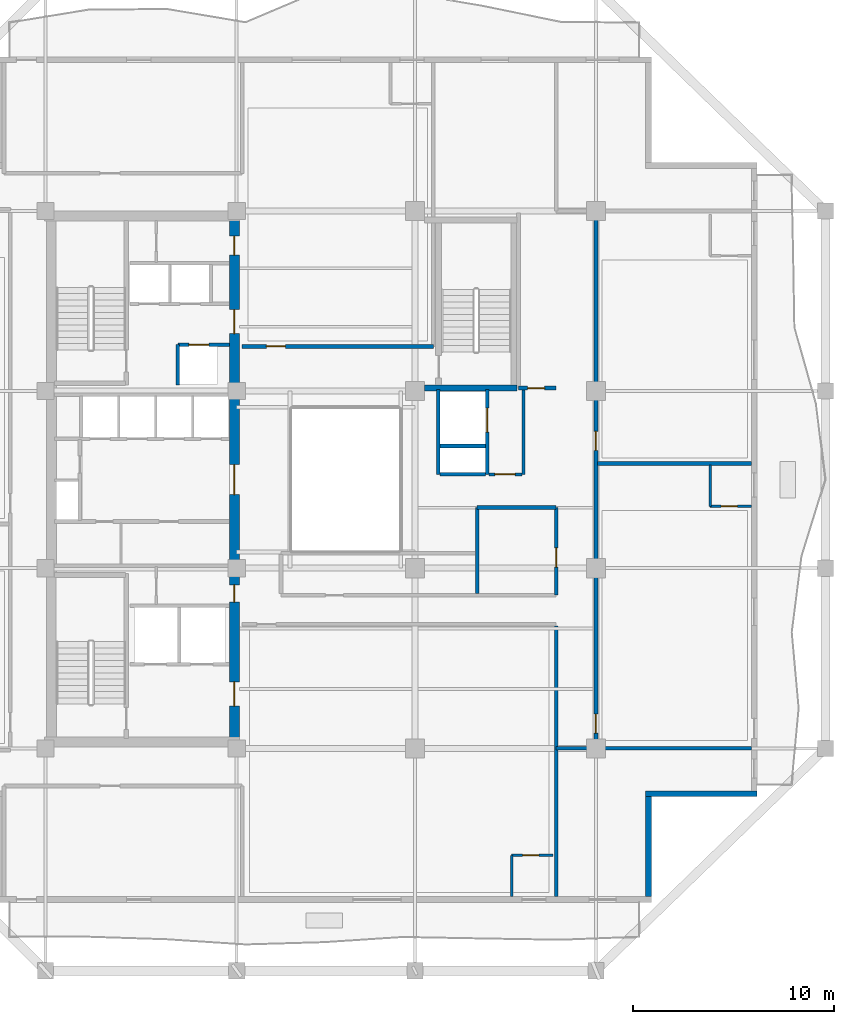
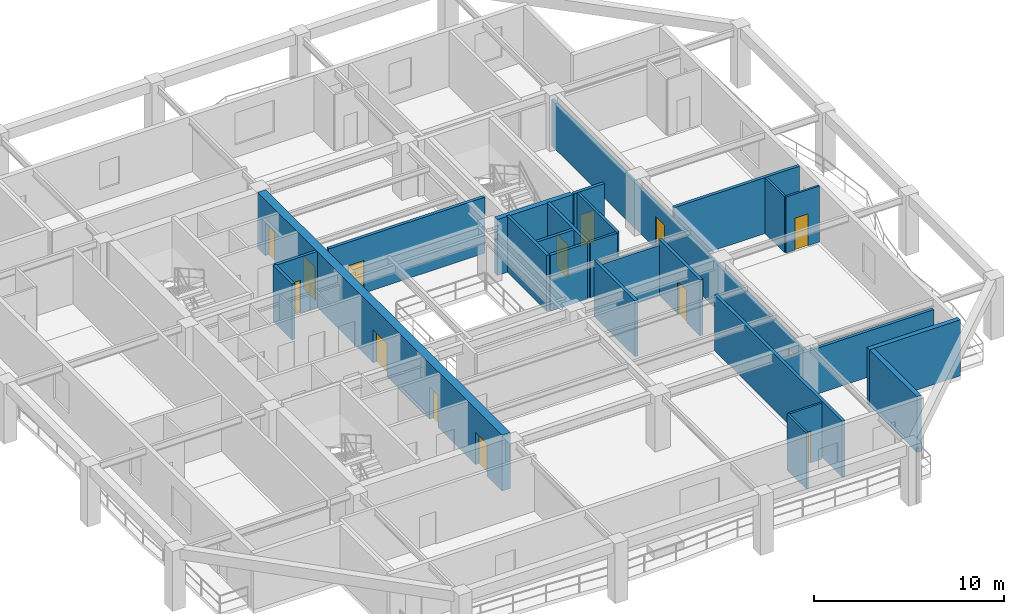
# One storey, part 4 of 12: 25 walls, 15 doors, 15 openings.
"""IFC4 building model written with IfcOpenShell, lengths in metres."""

from ifc_helpers import new_model, si_unit, direction, frame, frame_2d, origin, place, context, subcontext, project, spatial, rectangle, extrude, material, layer, layer_set, type_object, element, fill, save


model = new_model("IFC4")

# Units and contexts
model_context = context("Model", 3, precision=1e-05, world=origin(), true_north=direction((0.0, 1.0)))
body_context = subcontext(model_context, "Body", "Model", "MODEL_VIEW")
ifc_project = project(units=[si_unit("LENGTHUNIT", "METRE"), si_unit("AREAUNIT", "SQUARE_METRE"), si_unit("VOLUMEUNIT", "CUBIC_METRE"), si_unit("PLANEANGLEUNIT", "RADIAN"), si_unit("MASSUNIT", "GRAM", prefix="KILO")], contexts=[model_context])

# Site, building, storey
site_placement = place(None, origin())
site = spatial("IfcSite", under=ifc_project, at=site_placement, CompositionType="ELEMENT")
building_placement = place(site_placement, origin())
building = spatial("IfcBuilding", under=site, at=building_placement, Name="Kundavana Baori Tower", CompositionType="ELEMENT")
storey_placement = place(building_placement, frame((0.0, 0.0, 157.89990234375)))
storey = spatial("IfcBuildingStorey", under=building, at=storey_placement, Name="L38", CompositionType="ELEMENT", Elevation=157.89990234375)

# Wall, openings, doors
ifc_material_1 = material(Name="Concrete C50/60", Category="concrete")
ifc_layer_1 = layer(ifc_material_1, 0.5, Name="WL-CORE-500")
ifc_layer_set_1 = layer_set([ifc_layer_1], Name="Concrete C50/60")
wall_type_1 = type_object("IfcWallType", Name="WL-CORE-500", PredefinedType="SHEAR", material=ifc_layer_set_1)
wall_1_placement = place(storey_placement, frame((24.830078125, 15.739990234375, 0.0), z_axis=(0.0, 0.0, 1.0), x_axis=(0.0, 1.0, 0.0)))
wall_1 = element("IfcWall", 1, at=wall_1_placement, inside=storey, type_object=wall_type_1, Name="L38 Offset Core East Shear Wall", PredefinedType="SHEAR", context=body_context, shape_type="SweptSolid", body=[
    extrude(rectangle(XDim=25.760009765625, YDim=0.5, at=frame_2d((12.8798828125, 0.0))), origin(), (0.0, 0.0, 1.0), 3.60009765625),
])
opening_1_placement = place(wall_1_placement, frame((1.610107421875, 0.0, 0.0)))
opening_1 = element("IfcOpeningElement", 2, at=opening_1_placement, cuts=wall_1, Name="Opening FD-120", PredefinedType="OPENING", context=body_context, shape_type="SweptSolid", body=[
    extrude(rectangle(XDim=1.199951171875, YDim=2.10009765625, at=frame_2d((0.60009765625, 1.050048828125))), frame((0.0, 0.260009765625, 0.0), z_axis=(0.0, -1.0, 0.0), x_axis=(1.0, 0.0, 0.0)), (0.0, 0.0, 1.0), 0.52001953125),
])
opening_2_placement = place(wall_1_placement, frame((6.780029296875, 0.0, 0.0)))
opening_2 = element("IfcOpeningElement", 3, at=opening_2_placement, cuts=wall_1, Name="Opening FD-085", PredefinedType="OPENING", context=body_context, shape_type="SweptSolid", body=[
    extrude(rectangle(XDim=0.85009765625, YDim=2.06005859375, at=frame_2d((0.425048828125, 1.030029296875))), frame((0.0, 0.260009765625, 0.0), z_axis=(0.0, -1.0, 0.0), x_axis=(1.0, 0.0, 0.0)), (0.0, 0.0, 1.0), 0.52001953125),
])
opening_3_placement = place(wall_1_placement, frame((12.110107421875, 0.0, 0.0)))
opening_3 = element("IfcOpeningElement", 4, at=opening_3_placement, cuts=wall_1, Name="Opening FD-150", PredefinedType="OPENING", context=body_context, shape_type="SweptSolid", body=[
    extrude(rectangle(XDim=1.5, YDim=2.1201171875, at=frame_2d((0.75, 1.06005859375))), frame((0.0, 0.260009765625, 0.0), z_axis=(0.0, -1.0, 0.0), x_axis=(1.0, 0.0, 0.0)), (0.0, 0.0, 1.0), 0.52001953125),
])
opening_4_placement = place(wall_1_placement, frame((20.110107421875, 0.0, 0.0)))
opening_4 = element("IfcOpeningElement", 5, at=opening_4_placement, cuts=wall_1, Name="Opening FD-122", PredefinedType="OPENING", context=body_context, shape_type="SweptSolid", body=[
    extrude(rectangle(XDim=1.199951171875, YDim=2.1201171875, at=frame_2d((0.60009765625, 1.06005859375))), frame((0.0, 0.260009765625, 0.0), z_axis=(0.0, -1.0, 0.0), x_axis=(1.0, 0.0, 0.0)), (0.0, 0.0, 1.0), 0.52001953125),
])
opening_5_placement = place(wall_1_placement, frame((24.010009765625, 0.0, 0.0)))
opening_5 = element("IfcOpeningElement", 6, at=opening_5_placement, cuts=wall_1, Name="Opening FD-095", PredefinedType="OPENING", context=body_context, shape_type="SweptSolid", body=[
    extrude(rectangle(XDim=0.949951171875, YDim=2.10009765625, at=frame_2d((0.47509765625, 1.050048828125))), frame((0.0, 0.260009765625, 0.0), z_axis=(0.0, -1.0, 0.0), x_axis=(1.0, 0.0, 0.0)), (0.0, 0.0, 1.0), 0.52001953125),
])
ifc_material_2 = material(Name="Galvanised Steel Fire-Rated Door Leaf", Category="steel")
door_type_1 = type_object("IfcDoorType", Name="DR-FD120-1200", OperationType="NOTDEFINED", PredefinedType="DOOR", material=ifc_material_2)
door_1_placement = place(opening_1_placement, frame((1.199951171875, 0.0, 0.0), z_axis=(0.0, 0.0, 1.0), x_axis=(-1.0, 0.0, 0.0)))
door_1 = element("IfcDoor", 7, at=door_1_placement, inside=storey, type_object=door_type_1, Name="DR-L38-FFLOB-E", OperationType="SINGLE_SWING_RIGHT", OverallHeight=2.10009765625, OverallWidth=1.199951171875, PredefinedType="DOOR", context=body_context, shape_type="SweptSolid", body=[
    extrude(rectangle(XDim=1.199951171875, YDim=2.10009765625, at=frame_2d((0.60009765625, 1.050048828125))), frame((0.0, 0.02490234375, 0.0), z_axis=(0.0, -1.0, 0.0), x_axis=(1.0, 0.0, 0.0)), (0.0, 0.0, 1.0), 0.050048828125),
])
fill(opening_1, door_1)
ifc_material_3 = material(Name="Galvanised Steel Fire-Rated Door Leaf", Category="steel")
door_type_2 = type_object("IfcDoorType", Name="DR-FD60-1200", OperationType="NOTDEFINED", PredefinedType="DOOR", material=ifc_material_3)
door_2_placement = place(opening_4_placement, frame((1.199951171875, 0.0, 0.0), z_axis=(0.0, 0.0, 1.0), x_axis=(-1.0, 0.0, 0.0)))
door_2 = element("IfcDoor", 8, at=door_2_placement, inside=storey, type_object=door_type_2, Name="DR-L38-HRLOB-E", OperationType="SINGLE_SWING_RIGHT", OverallHeight=2.1201171875, OverallWidth=1.199951171875, PredefinedType="DOOR", context=body_context, shape_type="SweptSolid", body=[
    extrude(rectangle(XDim=1.199951171875, YDim=2.1201171875, at=frame_2d((0.60009765625, 1.06005859375))), frame((0.0, 0.02490234375, 0.0), z_axis=(0.0, -1.0, 0.0), x_axis=(1.0, 0.0, 0.0)), (0.0, 0.0, 1.0), 0.050048828125),
])
fill(opening_4, door_2)
ifc_material_4 = material(Name="Galvanised Steel Fire-Rated Door Leaf", Category="steel")
door_type_3 = type_object("IfcDoorType", Name="DR-FD60-1500", OperationType="NOTDEFINED", PredefinedType="DOOR", material=ifc_material_4)
door_3_placement = place(opening_3_placement, frame((1.5, 0.0, 0.0), z_axis=(0.0, 0.0, 1.0), x_axis=(-1.0, 0.0, 0.0)))
door_3 = element("IfcDoor", 9, at=door_3_placement, inside=storey, type_object=door_type_3, Name="DR-L38-LIFTHALL-E", OperationType="SINGLE_SWING_LEFT", OverallHeight=2.1201171875, OverallWidth=1.5, PredefinedType="DOOR", context=body_context, shape_type="SweptSolid", body=[
    extrude(rectangle(XDim=1.5, YDim=2.1201171875, at=frame_2d((0.75, 1.06005859375))), frame((0.0, 0.02490234375, 0.0), z_axis=(0.0, -1.0, 0.0), x_axis=(1.0, 0.0, 0.0)), (0.0, 0.0, 1.0), 0.050048828125),
])
fill(opening_3, door_3)
ifc_material_5 = material(Name="Galvanised Steel Fire-Rated Door Leaf", Category="steel")
door_type_4 = type_object("IfcDoorType", Name="DR-FD60-850", OperationType="NOTDEFINED", PredefinedType="DOOR", material=ifc_material_5)
door_4_placement = place(opening_2_placement, frame((0.85009765625, 0.0, 0.0), z_axis=(0.0, 0.0, 1.0), x_axis=(-1.0, 0.0, 0.0)))
door_4 = element("IfcDoor", 10, at=door_4_placement, inside=storey, type_object=door_type_4, Name="DR-L38-CSMK2", OperationType="SINGLE_SWING_LEFT", OverallHeight=2.06005859375, OverallWidth=0.85009765625, PredefinedType="DOOR", context=body_context, shape_type="SweptSolid", body=[
    extrude(rectangle(XDim=0.85009765625, YDim=2.06005859375, at=frame_2d((0.425048828125, 1.030029296875))), frame((0.0, 0.02490234375, 0.0), z_axis=(0.0, -1.0, 0.0), x_axis=(1.0, 0.0, 0.0)), (0.0, 0.0, 1.0), 0.050048828125),
])
fill(opening_2, door_4)
ifc_material_6 = material(Name="Engineered Teak Fire-Rated Timber Door Leaf", Category="wood")
door_type_5 = type_object("IfcDoorType", Name="DR-FD60-950", OperationType="NOTDEFINED", PredefinedType="DOOR", material=ifc_material_6)
door_5_placement = place(opening_5_placement, frame((0.949951171875, 0.0, 0.0), z_axis=(0.0, 0.0, 1.0), x_axis=(-1.0, 0.0, 0.0)))
door_5 = element("IfcDoor", 11, at=door_5_placement, inside=storey, type_object=door_type_5, Name="DR-L38-CSRV2", OperationType="SINGLE_SWING_LEFT", OverallHeight=2.10009765625, OverallWidth=0.949951171875, PredefinedType="DOOR", context=body_context, shape_type="SweptSolid", body=[
    extrude(rectangle(XDim=0.949951171875, YDim=2.10009765625, at=frame_2d((0.47509765625, 1.050048828125))), frame((0.0, 0.02490234375, 0.0), z_axis=(0.0, -1.0, 0.0), x_axis=(1.0, 0.0, 0.0)), (0.0, 0.0, 1.0), 0.050048828125),
])
fill(opening_5, door_5)

# Walls
ifc_material_7 = material(Name="Red-Buff Dholpur Sandstone Cladding on Concrete C40/50", Category="masonry")
ifc_layer_2 = layer(ifc_material_7, 0.280029296875, Name="WL-EXT-SAND-280")
ifc_layer_set_2 = layer_set([ifc_layer_2], Name="Red-Buff Dholpur Sandstone Cladding on Concrete C40/50")
wall_type_2 = type_object("IfcWallType", Name="WL-EXT-SAND-280", PredefinedType="STANDARD", material=ifc_layer_set_2)
wall_2_placement = place(storey_placement, frame((45.409912109375, 7.8798828125, 0.0), z_axis=(0.0, 0.0, 1.0), x_axis=(0.0, 1.0, 0.0)))
element("IfcWall", 12, at=wall_2_placement, inside=storey, type_object=wall_type_2, Name="L38 Exterior Insulated Facade Wall 02", PredefinedType="STANDARD", context=body_context, shape_type="SweptSolid", body=[
    extrude(rectangle(XDim=4.97021484375, YDim=0.280029296875, at=frame_2d((2.485107421875, 0.0))), origin(), (0.0, 0.0, 1.0), 3.60009765625),
])
wall_3_placement = place(storey_placement, frame((45.27001953125, 12.989990234375, 0.0), z_axis=(0.0, 0.0, 1.0), x_axis=(1.0, 0.0, 0.0)))
element("IfcWall", 13, at=wall_3_placement, inside=storey, type_object=wall_type_2, Name="L38 Exterior Insulated Facade Wall 03", PredefinedType="STANDARD", context=body_context, shape_type="SweptSolid", body=[
    extrude(rectangle(XDim=5.530029296875, YDim=0.280029296875, at=frame_2d((2.76513671875, 0.0))), origin(), (0.0, 0.0, 1.0), 3.60009765625),
])
ifc_material_8 = material(Name="Fire-Rated Gypsum Drywall on Galvanised Steel Studs", Category="steel")
ifc_layer_3 = layer(ifc_material_8, 0.14990234375, Name="WL-PART-150")
ifc_layer_set_3 = layer_set([ifc_layer_3], Name="Fire-Rated Gypsum Drywall on Galvanised Steel Studs")
wall_type_3 = type_object("IfcWallType", Name="WL-PART-150", PredefinedType="PARTITIONING", material=ifc_layer_set_3)
wall_4_placement = place(storey_placement, frame((39.199951171875, 28.860107421875, 0.0), z_axis=(0.0, 0.0, 1.0), x_axis=(0.0, 1.0, 0.0)))
element("IfcWall", 14, at=wall_4_placement, inside=storey, type_object=wall_type_3, Name="WL-L38-SVLOB-E", PredefinedType="PARTITIONING", context=body_context, shape_type="SweptSolid", body=[
    extrude(rectangle(XDim=4.219970703125, YDim=0.14990234375, at=frame_2d((2.10986328125, 0.0))), origin(), (0.0, 0.0, 1.0), 3.60009765625),
])

# Wall, opening, door
wall_5_placement = place(storey_placement, frame((37.47998046875, 28.860107421875, 0.0), z_axis=(0.0, 0.0, 1.0), x_axis=(1.0, 0.0, 0.0)))
wall_5 = element("IfcWall", 15, at=wall_5_placement, inside=storey, type_object=wall_type_3, Name="WL-L38-SVLOB-S", PredefinedType="PARTITIONING", context=body_context, shape_type="SweptSolid", body=[
    extrude(rectangle(XDim=1.64013671875, YDim=0.14990234375, at=frame_2d((0.820068359375, 0.0))), origin(), (0.0, 0.0, 1.0), 3.60009765625),
])
opening_6_placement = place(wall_5_placement, frame((0.300048828125, 0.0, 0.0)))
opening_6 = element("IfcOpeningElement", 16, at=opening_6_placement, cuts=wall_5, Name="Opening FD-100", PredefinedType="OPENING", context=body_context, shape_type="SweptSolid", body=[
    extrude(rectangle(XDim=1.0, YDim=2.10009765625, at=frame_2d((0.5, 1.050048828125))), frame((0.0, 0.0849609375, 0.0), z_axis=(0.0, -1.0, 0.0), x_axis=(1.0, 0.0, 0.0)), (0.0, 0.0, 1.0), 0.169921875),
])
ifc_material_9 = material(Name="Engineered Teak Fire-Rated Timber Door Leaf", Category="wood")
door_type_6 = type_object("IfcDoorType", Name="DR-FD60-1000", OperationType="NOTDEFINED", PredefinedType="DOOR", material=ifc_material_9)
door_6_placement = place(opening_6_placement, origin())
door_6 = element("IfcDoor", 17, at=door_6_placement, inside=storey, type_object=door_type_6, Name="DR-L38-SVLOB-OUT", OperationType="SINGLE_SWING_LEFT", OverallHeight=2.10009765625, OverallWidth=1.0, PredefinedType="DOOR", context=body_context, shape_type="SweptSolid", body=[
    extrude(rectangle(XDim=1.0, YDim=2.10009765625, at=frame_2d((0.5, 1.050048828125))), frame((0.0, 0.02490234375, 0.0), z_axis=(0.0, -1.0, 0.0), x_axis=(1.0, 0.0, 0.0)), (0.0, 0.0, 1.0), 0.050048828125),
])
fill(opening_6, door_6)

ifc_material_10 = material(Name="Autoclaved Aerated Concrete Blockwork Masonry", Category="masonry")
ifc_layer_4 = layer(ifc_material_10, 0.18505859375, Name="WL-PART-180")
ifc_layer_set_4 = layer_set([ifc_layer_4], Name="Autoclaved Aerated Concrete Blockwork Masonry")
wall_type_4 = type_object("IfcWallType", Name="WL-PART-180", PredefinedType="SOLIDWALL", material=ifc_layer_set_4)
wall_6_placement = place(storey_placement, frame((25.219970703125, 35.219970703125, 0.0), z_axis=(0.0, 0.0, 1.0), x_axis=(1.0, 0.0, 0.0)))
wall_6 = element("IfcWall", 18, at=wall_6_placement, inside=storey, type_object=wall_type_4, Name="WL-L38-HN", PredefinedType="SOLIDWALL", context=body_context, shape_type="SweptSolid", body=[
    extrude(rectangle(XDim=9.5, YDim=0.18505859375, at=frame_2d((4.75, 0.0))), origin(), (0.0, 0.0, 1.0), 3.60009765625),
])
opening_7_placement = place(wall_6_placement, frame((1.199951171875, 0.0, 0.0)))
opening_7 = element("IfcOpeningElement", 19, at=opening_7_placement, cuts=wall_6, Name="Opening FD-095", PredefinedType="OPENING", context=body_context, shape_type="SweptSolid", body=[
    extrude(rectangle(XDim=0.949951171875, YDim=2.10009765625, at=frame_2d((0.47509765625, 1.050048828125))), frame((0.0, 0.1025390625, 0.0), z_axis=(0.0, -1.0, 0.0), x_axis=(1.0, 0.0, 0.0)), (0.0, 0.0, 1.0), 0.205078125),
])
door_7_placement = place(opening_7_placement, origin())
door_7 = element("IfcDoor", 20, at=door_7_placement, inside=storey, type_object=door_type_5, Name="DR-L38-HK-N1-ENT", OperationType="SINGLE_SWING_RIGHT", OverallHeight=2.10009765625, OverallWidth=0.949951171875, PredefinedType="DOOR", context=body_context, shape_type="SweptSolid", body=[
    extrude(rectangle(XDim=0.949951171875, YDim=2.10009765625, at=frame_2d((0.47509765625, 1.050048828125))), frame((0.0, 0.02490234375, 0.0), z_axis=(0.0, -1.0, 0.0), x_axis=(1.0, 0.0, 0.0)), (0.0, 0.0, 1.0), 0.050048828125),
])
fill(opening_7, door_7)

# Wall, openings, doors
wall_7_placement = place(storey_placement, frame((42.800048828125, 15.25, 0.0), z_axis=(0.0, 0.0, 1.0), x_axis=(0.0, 1.0, 0.0)))
wall_7 = element("IfcWall", 21, at=wall_7_placement, inside=storey, type_object=wall_type_4, Name="WL-L38-HE", PredefinedType="SOLIDWALL", context=body_context, shape_type="SweptSolid", body=[
    extrude(rectangle(XDim=26.699951171875, YDim=0.18505859375, at=frame_2d((13.35009765625, 0.0))), origin(), (0.0, 0.0, 1.0), 2.9501953125),
])
opening_8_placement = place(wall_7_placement, frame((0.75, 0.0, 0.0)))
opening_8 = element("IfcOpeningElement", 22, at=opening_8_placement, cuts=wall_7, Name="Opening FD-095", PredefinedType="OPENING", context=body_context, shape_type="SweptSolid", body=[
    extrude(rectangle(XDim=0.949951171875, YDim=2.10009765625, at=frame_2d((0.47509765625, 1.050048828125))), frame((0.0, 0.1025390625, 0.0), z_axis=(0.0, -1.0, 0.0), x_axis=(1.0, 0.0, 0.0)), (0.0, 0.0, 1.0), 0.205078125),
])
opening_9_placement = place(wall_7_placement, frame((14.800048828125, 0.0, 0.0)))
opening_9 = element("IfcOpeningElement", 23, at=opening_9_placement, cuts=wall_7, Name="Opening FD-095", PredefinedType="OPENING", context=body_context, shape_type="SweptSolid", body=[
    extrude(rectangle(XDim=0.949951171875, YDim=2.10009765625, at=frame_2d((0.47509765625, 1.050048828125))), frame((0.0, 0.1025390625, 0.0), z_axis=(0.0, -1.0, 0.0), x_axis=(1.0, 0.0, 0.0)), (0.0, 0.0, 1.0), 0.205078125),
])
door_8_placement = place(opening_8_placement, origin())
door_8 = element("IfcDoor", 24, at=door_8_placement, inside=storey, type_object=door_type_5, Name="DR-L38-HK-E1-ENT", OperationType="SINGLE_SWING_LEFT", OverallHeight=2.10009765625, OverallWidth=0.949951171875, PredefinedType="DOOR", context=body_context, shape_type="SweptSolid", body=[
    extrude(rectangle(XDim=0.949951171875, YDim=2.10009765625, at=frame_2d((0.47509765625, 1.050048828125))), frame((0.0, 0.02490234375, 0.0), z_axis=(0.0, -1.0, 0.0), x_axis=(1.0, 0.0, 0.0)), (0.0, 0.0, 1.0), 0.050048828125),
])
fill(opening_8, door_8)
door_9_placement = place(opening_9_placement, origin())
door_9 = element("IfcDoor", 25, at=door_9_placement, inside=storey, type_object=door_type_5, Name="DR-L38-HK-E2-ENT", OperationType="SINGLE_SWING_LEFT", OverallHeight=2.10009765625, OverallWidth=0.949951171875, PredefinedType="DOOR", context=body_context, shape_type="SweptSolid", body=[
    extrude(rectangle(XDim=0.949951171875, YDim=2.10009765625, at=frame_2d((0.47509765625, 1.050048828125))), frame((0.0, 0.02490234375, 0.0), z_axis=(0.0, -1.0, 0.0), x_axis=(1.0, 0.0, 0.0)), (0.0, 0.0, 1.0), 0.050048828125),
])
fill(opening_9, door_9)

# Wall
wall_8_placement = place(storey_placement, frame((40.820068359375, 15.25, 0.0), z_axis=(0.0, 0.0, 1.0), x_axis=(1.0, 0.0, 0.0)))
element("IfcWall", 26, at=wall_8_placement, inside=storey, type_object=wall_type_4, Name="WL-L38-HES", PredefinedType="SOLIDWALL", context=body_context, shape_type="SweptSolid", body=[
    extrude(rectangle(XDim=9.699951171875, YDim=0.18505859375, at=frame_2d((4.85009765625, 0.0))), origin(), (0.0, 0.0, 1.0), 2.9501953125),
])

# Wall, opening, door
wall_9_placement = place(storey_placement, frame((40.820068359375, 22.860107421875, 0.0), z_axis=(0.0, 0.0, 1.0), x_axis=(0.0, 1.0, 0.0)))
wall_9 = element("IfcWall", 27, at=wall_9_placement, inside=storey, type_object=wall_type_4, Name="WL-L38-HEW", PredefinedType="SOLIDWALL", context=body_context, shape_type="SweptSolid", body=[
    extrude(rectangle(XDim=4.35986328125, YDim=0.18505859375, at=frame_2d((2.179931640625, 0.0))), origin(), (0.0, 0.0, 1.0), 3.60009765625),
])
opening_10_placement = place(wall_9_placement, frame((1.39990234375, 0.0, 0.0)))
opening_10 = element("IfcOpeningElement", 28, at=opening_10_placement, cuts=wall_9, Name="Opening FD-095", PredefinedType="OPENING", context=body_context, shape_type="SweptSolid", body=[
    extrude(rectangle(XDim=0.949951171875, YDim=2.10009765625, at=frame_2d((0.47509765625, 1.050048828125))), frame((0.0, 0.1025390625, 0.0), z_axis=(0.0, -1.0, 0.0), x_axis=(1.0, 0.0, 0.0)), (0.0, 0.0, 1.0), 0.205078125),
])
door_10_placement = place(opening_10_placement, frame((0.949951171875, 0.0, 0.0), z_axis=(0.0, 0.0, 1.0), x_axis=(-1.0, 0.0, 0.0)))
door_10 = element("IfcDoor", 29, at=door_10_placement, inside=storey, type_object=door_type_5, Name="DR-L38-HSK", OperationType="SINGLE_SWING_RIGHT", OverallHeight=2.10009765625, OverallWidth=0.949951171875, PredefinedType="DOOR", context=body_context, shape_type="SweptSolid", body=[
    extrude(rectangle(XDim=0.949951171875, YDim=2.10009765625, at=frame_2d((0.47509765625, 1.050048828125))), frame((0.0, 0.02490234375, 0.0), z_axis=(0.0, -1.0, 0.0), x_axis=(1.0, 0.0, 0.0)), (0.0, 0.0, 1.0), 0.050048828125),
])
fill(opening_10, door_10)

# Walls
wall_10_placement = place(storey_placement, frame((36.89990234375, 27.219970703125, 0.0), z_axis=(0.0, 0.0, 1.0), x_axis=(1.0, 0.0, 0.0)))
element("IfcWall", 30, at=wall_10_placement, inside=storey, type_object=wall_type_4, Name="WL-L38-HKN", PredefinedType="SOLIDWALL", context=body_context, shape_type="SweptSolid", body=[
    extrude(rectangle(XDim=3.920166015625, YDim=0.18505859375, at=frame_2d((1.9599609375, 0.0))), origin(), (0.0, 0.0, 1.0), 3.25),
])
wall_11_placement = place(storey_placement, frame((36.89990234375, 22.93994140625, 0.0), z_axis=(0.0, 0.0, 1.0), x_axis=(0.0, 1.0, 0.0)))
element("IfcWall", 31, at=wall_11_placement, inside=storey, type_object=wall_type_4, Name="WL-L38-HKD", PredefinedType="SOLIDWALL", context=body_context, shape_type="SweptSolid", body=[
    extrude(rectangle(XDim=4.280029296875, YDim=0.18505859375, at=frame_2d((2.14013671875, 0.0))), origin(), (0.0, 0.0, 1.0), 3.60009765625),
])
wall_12_placement = place(storey_placement, frame((40.820068359375, 7.8798828125, 0.0), z_axis=(0.0, 0.0, 1.0), x_axis=(0.0, 1.0, 0.0)))
element("IfcWall", 32, at=wall_12_placement, inside=storey, type_object=wall_type_4, Name="WL-L38-HSEND", PredefinedType="SOLIDWALL", context=body_context, shape_type="SweptSolid", body=[
    extrude(rectangle(XDim=13.460205078125, YDim=0.18505859375, at=frame_2d((6.72998046875, 0.0))), origin(), (0.0, 0.0, 1.0), 3.60009765625),
])
wall_13_placement = place(storey_placement, frame((42.8798828125, 29.39990234375, 0.0), z_axis=(0.0, 0.0, 1.0), x_axis=(1.0, 0.0, 0.0)))
element("IfcWall", 33, at=wall_13_placement, inside=storey, type_object=wall_type_4, Name="WL-L38-HED1", PredefinedType="SOLIDWALL", context=body_context, shape_type="SweptSolid", body=[
    extrude(rectangle(XDim=7.64013671875, YDim=0.18505859375, at=frame_2d((3.820068359375, 0.0))), origin(), (0.0, 0.0, 1.0), 3.60009765625),
])

# Wall, opening, door
wall_14_placement = place(storey_placement, frame((38.949951171875, 33.14990234375, 0.0), z_axis=(0.0, 0.0, 1.0), x_axis=(1.0, 0.0, 0.0)))
wall_14 = element("IfcWall", 34, at=wall_14_placement, inside=storey, type_object=wall_type_4, Name="WL-L38-HNES", PredefinedType="SOLIDWALL", context=body_context, shape_type="SweptSolid", body=[
    extrude(rectangle(XDim=1.8701171875, YDim=0.18505859375, at=frame_2d((0.93505859375, 0.0))), origin(), (0.0, 0.0, 1.0), 3.60009765625),
])
opening_11_placement = place(wall_14_placement, frame((0.449951171875, 0.0, 0.0)))
opening_11 = element("IfcOpeningElement", 35, at=opening_11_placement, cuts=wall_14, Name="Opening WD-085", PredefinedType="OPENING", context=body_context, shape_type="SweptSolid", body=[
    extrude(rectangle(XDim=0.85009765625, YDim=2.050048828125, at=frame_2d((0.425048828125, 1.02490234375))), frame((0.0, 0.1025390625, 0.0), z_axis=(0.0, -1.0, 0.0), x_axis=(1.0, 0.0, 0.0)), (0.0, 0.0, 1.0), 0.205078125),
])
ifc_material_11 = material(Name="Engineered Teak Solid-Core Timber Veneer", Category="wood")
door_type_7 = type_object("IfcDoorType", Name="DR-WET-850", OperationType="NOTDEFINED", PredefinedType="DOOR", material=ifc_material_11)
door_11_placement = place(opening_11_placement, origin())
door_11 = element("IfcDoor", 36, at=door_11_placement, inside=storey, type_object=door_type_7, Name="DR-L38-HLNE", OperationType="SINGLE_SWING_LEFT", OverallHeight=2.050048828125, OverallWidth=0.85009765625, PredefinedType="DOOR", context=body_context, shape_type="SweptSolid", body=[
    extrude(rectangle(XDim=0.85009765625, YDim=2.050048828125, at=frame_2d((0.425048828125, 1.02490234375))), frame((0.0, 0.02490234375, 0.0), z_axis=(0.0, -1.0, 0.0), x_axis=(1.0, 0.0, 0.0)), (0.0, 0.0, 1.0), 0.050048828125),
])
fill(opening_11, door_11)

ifc_material_12 = material(Name="Autoclaved Aerated Concrete Blockwork Masonry", Category="masonry")
ifc_layer_5 = layer(ifc_material_12, 0.179931640625, Name="WL-SHAFT-180")
ifc_layer_set_5 = layer_set([ifc_layer_5], Name="Autoclaved Aerated Concrete Blockwork Masonry")
wall_type_5 = type_object("IfcWallType", Name="WL-SHAFT-180", PredefinedType="SOLIDWALL", material=ifc_layer_set_5)
wall_15_placement = place(storey_placement, frame((22.02001953125, 35.31005859375, 0.0), z_axis=(0.0, 0.0, 1.0), x_axis=(1.0, 0.0, 0.0)))
wall_15 = element("IfcWall", 37, at=wall_15_placement, inside=storey, type_object=wall_type_5, Name="WL-L38-LP11-N", PredefinedType="SOLIDWALL", context=body_context, shape_type="SweptSolid", body=[
    extrude(rectangle(XDim=2.56005859375, YDim=0.179931640625, at=frame_2d((1.280029296875, 0.0))), origin(), (0.0, 0.0, 1.0), 3.60009765625),
])
opening_12_placement = place(wall_15_placement, frame((0.550048828125, 0.0, 0.0)))
opening_12 = element("IfcOpeningElement", 38, at=opening_12_placement, cuts=wall_15, Name="Opening LD-100", PredefinedType="OPENING", context=body_context, shape_type="SweptSolid", body=[
    extrude(rectangle(XDim=1.0, YDim=2.10009765625, at=frame_2d((0.5, 1.050048828125))), frame((0.0, 0.10009765625, 0.0), z_axis=(0.0, -1.0, 0.0), x_axis=(1.0, 0.0, 0.0)), (0.0, 0.0, 1.0), 0.199951171875),
])
ifc_material_13 = material(Name="Galvanised Steel Fire-Rated Door Leaf", Category="steel")
door_type_8 = type_object("IfcDoorType", Name="DR-SLIDE-LD1000", OperationType="NOTDEFINED", PredefinedType="DOOR", material=ifc_material_13)
door_12_placement = place(opening_12_placement, origin())
door_12 = element("IfcDoor", 39, at=door_12_placement, inside=storey, type_object=door_type_8, Name="DR-L38-LD-LP11", OperationType="DOUBLE_DOOR_SLIDING", OverallHeight=2.10009765625, OverallWidth=1.0, PredefinedType="DOOR", context=body_context, shape_type="SweptSolid", body=[
    extrude(rectangle(XDim=1.0, YDim=2.10009765625, at=frame_2d((0.5, 1.050048828125))), frame((0.0, 0.02490234375, 0.0), z_axis=(0.0, -1.0, 0.0), x_axis=(1.0, 0.0, 0.0)), (0.0, 0.0, 1.0), 0.050048828125),
])
fill(opening_12, door_12)

# Walls
wall_16_placement = place(storey_placement, frame((22.02001953125, 33.300048828125, 0.0), z_axis=(0.0, 0.0, 1.0), x_axis=(0.0, 1.0, 0.0)))
element("IfcWall", 40, at=wall_16_placement, inside=storey, type_object=wall_type_5, Name="WL-L38-LP11-W", PredefinedType="SOLIDWALL", context=body_context, shape_type="SweptSolid", body=[
    extrude(rectangle(XDim=2.010009765625, YDim=0.179931640625, at=frame_2d((1.0048828125, 0.0))), origin(), (0.0, 0.0, 1.0), 3.60009765625),
])
wall_17_placement = place(storey_placement, frame((34.9599609375, 28.860107421875, 0.0), z_axis=(0.0, 0.0, 1.0), x_axis=(0.0, 1.0, 0.0)))
element("IfcWall", 41, at=wall_17_placement, inside=storey, type_object=wall_type_5, Name="WL-L38-SVL-W", PredefinedType="SOLIDWALL", context=body_context, shape_type="SweptSolid", body=[
    extrude(rectangle(XDim=4.219970703125, YDim=0.179931640625, at=frame_2d((2.10986328125, 0.0))), origin(), (0.0, 0.0, 1.0), 3.60009765625),
])

# Wall, opening, door
wall_18_placement = place(storey_placement, frame((37.389892578125, 28.860107421875, 0.0), z_axis=(0.0, 0.0, 1.0), x_axis=(0.0, 1.0, 0.0)))
wall_18 = element("IfcWall", 42, at=wall_18_placement, inside=storey, type_object=wall_type_5, Name="WL-L38-SVL-E", PredefinedType="SOLIDWALL", context=body_context, shape_type="SweptSolid", body=[
    extrude(rectangle(XDim=4.219970703125, YDim=0.179931640625, at=frame_2d((2.10986328125, 0.0))), origin(), (0.0, 0.0, 1.0), 3.60009765625),
])
opening_13_placement = place(wall_18_placement, frame((2.10009765625, 0.0, 0.0)))
opening_13 = element("IfcOpeningElement", 43, at=opening_13_placement, cuts=wall_18, Name="Opening LD-120", PredefinedType="OPENING", context=body_context, shape_type="SweptSolid", body=[
    extrude(rectangle(XDim=1.199951171875, YDim=2.1201171875, at=frame_2d((0.60009765625, 1.06005859375))), frame((0.0, 0.10009765625, 0.0), z_axis=(0.0, -1.0, 0.0), x_axis=(1.0, 0.0, 0.0)), (0.0, 0.0, 1.0), 0.199951171875),
])
ifc_material_14 = material(Name="Galvanised Steel Fire-Rated Door Leaf", Category="steel")
door_type_9 = type_object("IfcDoorType", Name="DR-SLIDE-LD1200", OperationType="NOTDEFINED", PredefinedType="DOOR", material=ifc_material_14)
door_13_placement = place(opening_13_placement, frame((1.199951171875, 0.0, 0.0), z_axis=(0.0, 0.0, 1.0), x_axis=(-1.0, 0.0, 0.0)))
door_13 = element("IfcDoor", 44, at=door_13_placement, inside=storey, type_object=door_type_9, Name="DR-L38-LD-SVL1", OperationType="DOUBLE_DOOR_SLIDING", OverallHeight=2.1201171875, OverallWidth=1.199951171875, PredefinedType="DOOR", context=body_context, shape_type="SweptSolid", body=[
    extrude(rectangle(XDim=1.199951171875, YDim=2.1201171875, at=frame_2d((0.60009765625, 1.06005859375))), frame((0.0, 0.02490234375, 0.0), z_axis=(0.0, -1.0, 0.0), x_axis=(1.0, 0.0, 0.0)), (0.0, 0.0, 1.0), 0.050048828125),
])
fill(opening_13, door_13)

# Walls
for number, where, z_axis, x_axis, name in (
    (45, (35.050048828125, 28.860107421875, 0.0), (0.0, 0.0, 1.0), (1.0, 0.0, 0.0), "WL-L38-SVL-S"),
    (46, (35.050048828125, 30.27001953125, 0.0), (0.0, 0.0, 1.0), (1.0, 0.0, 0.0), "WL-L38-SVL-M"),
):
    element("IfcWall", number, at=place(storey_placement, frame(where, z_axis=z_axis, x_axis=x_axis)), inside=storey, type_object=wall_type_5, Name=name, PredefinedType="SOLIDWALL", context=body_context, shape_type="SweptSolid", body=[
        extrude(rectangle(XDim=2.25, YDim=0.179931640625, at=frame_2d((1.125, 0.0))), origin(), (0.0, 0.0, 1.0), 3.60009765625),
    ])
ifc_material_15 = material(Name="Concrete C50/60", Category="concrete")
ifc_layer_6 = layer(ifc_material_15, 0.300048828125, Name="WL-ST3-300")
ifc_layer_set_6 = layer_set([ifc_layer_6], Name="Concrete C50/60")
wall_type_6 = type_object("IfcWallType", Name="WL-ST3-300", PredefinedType="SHEAR", material=ifc_layer_set_6)
wall_19_placement = place(storey_placement, frame((34.27490234375, 33.159912109375, 0.0), z_axis=(0.0, 0.0, 1.0), x_axis=(1.0, 0.0, 0.0)))
element("IfcWall", 47, at=wall_19_placement, inside=storey, type_object=wall_type_6, Name="L38 Stair ST3 South Shear Wall", PredefinedType="SHEAR", context=body_context, shape_type="SweptSolid", body=[
    extrude(rectangle(XDim=4.59521484375, YDim=0.300048828125, at=frame_2d((2.297607421875, 0.0))), origin(), (0.0, 0.0, 1.0), 3.60009765625),
])
ifc_material_16 = material(Name="Autoclaved Aerated Concrete Blockwork Masonry", Category="masonry")
ifc_layer_7 = layer(ifc_material_16, 0.125, Name="WL-WET-120")
ifc_layer_set_7 = layer_set([ifc_layer_7], Name="Autoclaved Aerated Concrete Blockwork Masonry")
wall_type_7 = type_object("IfcWallType", Name="WL-WET-120", PredefinedType="PLUMBINGWALL", material=ifc_layer_set_7)
wall_20_placement = place(storey_placement, frame((38.610107421875, 7.8798828125, 0.0), z_axis=(0.0, 0.0, 1.0), x_axis=(0.0, 1.0, 0.0)))
element("IfcWall", 48, at=wall_20_placement, inside=storey, type_object=wall_type_7, Name="WL-L38-HK-S1-BW", PredefinedType="PLUMBINGWALL", context=body_context, shape_type="SweptSolid", body=[
    extrude(rectangle(XDim=2.050048828125, YDim=0.125, at=frame_2d((1.02490234375, 0.0))), origin(), (0.0, 0.0, 1.0), 3.60009765625),
])

# Wall, opening, door
wall_21_placement = place(storey_placement, frame((38.610107421875, 9.929931640625, 0.0), z_axis=(0.0, 0.0, 1.0), x_axis=(1.0, 0.0, 0.0)))
wall_21 = element("IfcWall", 49, at=wall_21_placement, inside=storey, type_object=wall_type_7, Name="WL-L38-HK-S1-BN", PredefinedType="PLUMBINGWALL", context=body_context, shape_type="SweptSolid", body=[
    extrude(rectangle(XDim=2.0498046875, YDim=0.125, at=frame_2d((1.02490234375, 0.0))), origin(), (0.0, 0.0, 1.0), 3.60009765625),
])
opening_14_placement = place(wall_21_placement, frame((0.550048828125, 0.0, 0.0)))
opening_14 = element("IfcOpeningElement", 50, at=opening_14_placement, cuts=wall_21, Name="Opening WD-080", PredefinedType="OPENING", context=body_context, shape_type="SweptSolid", body=[
    extrude(rectangle(XDim=0.800048828125, YDim=2.050048828125, at=frame_2d((0.39990234375, 1.02490234375))), frame((0.0, 0.072509765625, 0.0), z_axis=(0.0, -1.0, 0.0), x_axis=(1.0, 0.0, 0.0)), (0.0, 0.0, 1.0), 0.14501953125),
])
ifc_material_17 = material(Name="Engineered Teak Solid-Core Timber Veneer", Category="wood")
door_type_10 = type_object("IfcDoorType", Name="DR-WET-800", OperationType="NOTDEFINED", PredefinedType="DOOR", material=ifc_material_17)
door_14_placement = place(opening_14_placement, origin())
door_14 = element("IfcDoor", 51, at=door_14_placement, inside=storey, type_object=door_type_10, Name="DR-L38-HK-S1-ENS", OperationType="SINGLE_SWING_LEFT", OverallHeight=2.050048828125, OverallWidth=0.800048828125, PredefinedType="DOOR", context=body_context, shape_type="SweptSolid", body=[
    extrude(rectangle(XDim=0.800048828125, YDim=2.050048828125, at=frame_2d((0.39990234375, 1.02490234375))), frame((0.0, 0.02490234375, 0.0), z_axis=(0.0, -1.0, 0.0), x_axis=(1.0, 0.0, 0.0)), (0.0, 0.0, 1.0), 0.050048828125),
])
fill(opening_14, door_14)

# Wall
wall_22_placement = place(storey_placement, frame((48.469970703125, 27.27001953125, 0.0), z_axis=(0.0, 0.0, 1.0), x_axis=(0.0, 1.0, 0.0)))
element("IfcWall", 52, at=wall_22_placement, inside=storey, type_object=wall_type_7, Name="WL-L38-HK-E1-BW", PredefinedType="PLUMBINGWALL", context=body_context, shape_type="SweptSolid", body=[
    extrude(rectangle(XDim=2.050048828125, YDim=0.125, at=frame_2d((1.02490234375, 0.0))), origin(), (0.0, 0.0, 1.0), 3.60009765625),
])

# Wall, opening, door
wall_23_placement = place(storey_placement, frame((48.469970703125, 27.27001953125, 0.0), z_axis=(0.0, 0.0, 1.0), x_axis=(1.0, 0.0, 0.0)))
wall_23 = element("IfcWall", 53, at=wall_23_placement, inside=storey, type_object=wall_type_7, Name="WL-L38-HK-E1-BS", PredefinedType="PLUMBINGWALL", context=body_context, shape_type="SweptSolid", body=[
    extrude(rectangle(XDim=2.050048828125, YDim=0.125, at=frame_2d((1.02490234375, 0.0))), origin(), (0.0, 0.0, 1.0), 3.60009765625),
])
opening_15_placement = place(wall_23_placement, frame((0.550048828125, 0.0, 0.0)))
opening_15 = element("IfcOpeningElement", 54, at=opening_15_placement, cuts=wall_23, Name="Opening WD-080", PredefinedType="OPENING", context=body_context, shape_type="SweptSolid", body=[
    extrude(rectangle(XDim=0.800048828125, YDim=2.050048828125, at=frame_2d((0.39990234375, 1.02490234375))), frame((0.0, 0.072509765625, 0.0), z_axis=(0.0, -1.0, 0.0), x_axis=(1.0, 0.0, 0.0)), (0.0, 0.0, 1.0), 0.14501953125),
])
door_15_placement = place(opening_15_placement, frame((0.800048828125, 0.0, 0.0), z_axis=(0.0, 0.0, 1.0), x_axis=(-1.0, 0.0, 0.0)))
door_15 = element("IfcDoor", 55, at=door_15_placement, inside=storey, type_object=door_type_10, Name="DR-L38-HK-E1-ENS", OperationType="SINGLE_SWING_LEFT", OverallHeight=2.050048828125, OverallWidth=0.800048828125, PredefinedType="DOOR", context=body_context, shape_type="SweptSolid", body=[
    extrude(rectangle(XDim=0.800048828125, YDim=2.050048828125, at=frame_2d((0.39990234375, 1.02490234375))), frame((0.0, 0.02490234375, 0.0), z_axis=(0.0, -1.0, 0.0), x_axis=(1.0, 0.0, 0.0)), (0.0, 0.0, 1.0), 0.050048828125),
])
fill(opening_15, door_15)

save(model, "model.ifc")
